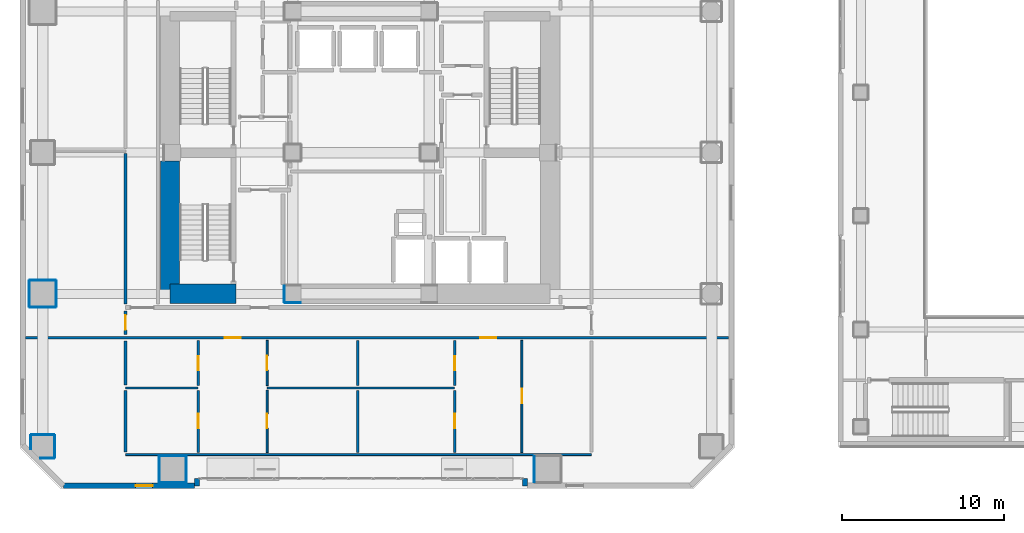
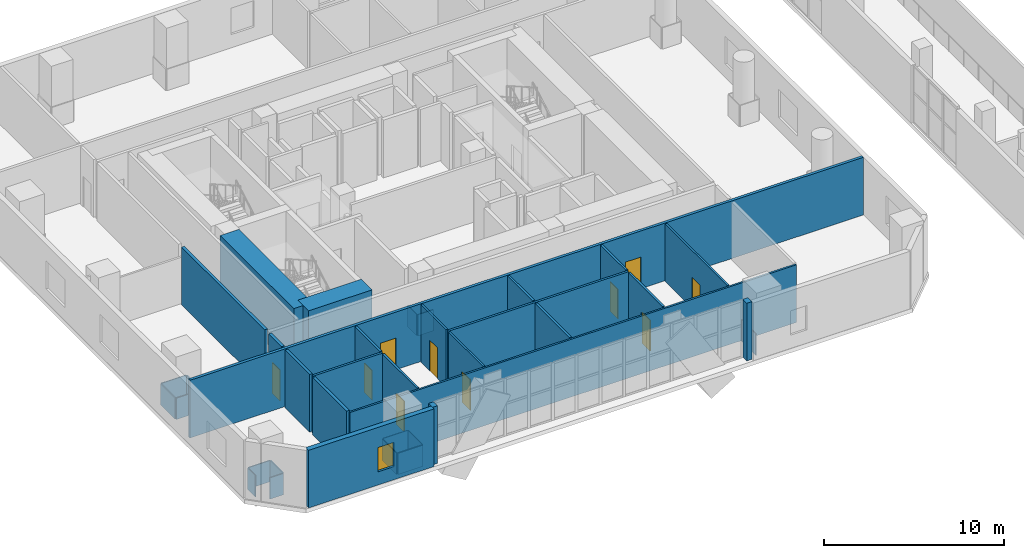
# One storey, part 11 of 20: 37 walls, 10 doors, 1 window, 11 openings.
"""IFC4 building model written with IfcOpenShell, lengths in metres."""

from ifc_helpers import new_model, si_unit, direction, frame, frame_2d, origin, place, context, subcontext, project, spatial, rectangle, extrude, material, layer, layer_set, type_object, element, fill, save


model = new_model("IFC4")

# Units and contexts
model_context = context("Model", 3, precision=1e-05, world=origin(), true_north=direction((0.0, 1.0)))
body_context = subcontext(model_context, "Body", "Model", "MODEL_VIEW")
ifc_project = project(units=[si_unit("LENGTHUNIT", "METRE"), si_unit("AREAUNIT", "SQUARE_METRE"), si_unit("VOLUMEUNIT", "CUBIC_METRE"), si_unit("PLANEANGLEUNIT", "RADIAN"), si_unit("MASSUNIT", "GRAM", prefix="KILO")], contexts=[model_context])

# Site, building, storey
site_placement = place(None, origin())
site = spatial("IfcSite", under=ifc_project, at=site_placement, CompositionType="ELEMENT")
building_placement = place(site_placement, origin())
building = spatial("IfcBuilding", under=site, at=building_placement, Name="Solanera Arch Residences", CompositionType="ELEMENT")
storey_placement = place(building_placement, frame((0.0, 0.0, 9.39990234375)))
storey = spatial("IfcBuildingStorey", under=building, at=storey_placement, Name="L02", CompositionType="ELEMENT", Elevation=9.39990234375)

# Walls
ifc_material_1 = material(Name="Fire-Rated Gypsum Stud Partition", Category="gypsum")
ifc_layer_1 = layer(ifc_material_1, 0.06005859375)
ifc_layer_set_1 = layer_set([ifc_layer_1], Name="Fire-Rated Gypsum Stud Partition")
wall_type_1 = type_object("IfcWallType", Name="Column Acoustic Furring Wall 60", PredefinedType="PARTITIONING", material=ifc_layer_set_1)
wall_1_placement = place(storey_placement, frame((20.300048828125, 21.468017578125, 0.0), z_axis=(0.0, 0.0, 1.0), x_axis=(1.0, 0.0, 0.0)))
element("IfcWall", 1, at=wall_1_placement, inside=storey, type_object=wall_type_1, Name="L02 Column Furring 1S", PredefinedType="PARTITIONING", context=body_context, shape_type="SweptSolid", body=[
    extrude(rectangle(XDim=0.989990234375, YDim=0.06005859375, at=frame_2d((0.4951171875, 0.0))), origin(), (0.0, 0.0, 1.0), 1.4501953125),
])
wall_2_placement = place(storey_placement, frame((20.26806640625, 21.5, 0.0), z_axis=(0.0, 0.0, 1.0), x_axis=(0.0, 1.0, 0.0)))
element("IfcWall", 2, at=wall_2_placement, inside=storey, type_object=wall_type_1, Name="L02 Column Furring 1W", PredefinedType="PARTITIONING", context=body_context, shape_type="SweptSolid", body=[
    extrude(rectangle(XDim=1.0, YDim=0.06005859375, at=frame_2d((0.5, 0.0))), origin(), (0.0, 0.0, 1.0), 1.4501953125),
])
for number, where, z_axis, x_axis, name in (
    (3, (12.60009765625, 10.367919921875, 0.0), (0.0, 0.0, 1.0), (1.0, 0.0, 0.0), "L02 Column Furring 9S"),
    (4, (12.60009765625, 12.031982421875, 0.0), (0.0, 0.0, 1.0), (1.0, 0.0, 0.0), "L02 Column Furring 9N"),
):
    element("IfcWall", number, at=place(storey_placement, frame(where, z_axis=z_axis, x_axis=x_axis)), inside=storey, type_object=wall_type_1, Name=name, PredefinedType="PARTITIONING", context=body_context, shape_type="SweptSolid", body=[
        extrude(rectangle(XDim=1.599853515625, YDim=0.06005859375, at=frame_2d((0.7998046875, 0.0))), origin(), (0.0, 0.0, 1.0), 1.4501953125),
    ])
for number, where, z_axis, x_axis, name in (
    (5, (12.568115234375, 10.39990234375, 0.0), (0.0, 0.0, 1.0), (0.0, 1.0, 0.0), "L02 Column Furring 9W"),
    (6, (14.23193359375, 10.39990234375, 0.0), (0.0, 0.0, 1.0), (0.0, 1.0, 0.0), "L02 Column Furring 9E"),
    (7, (35.66796875, 10.39990234375, 0.0), (0.0, 0.0, 1.0), (0.0, 1.0, 0.0), "L02 Column Furring 10W"),
):
    element("IfcWall", number, at=place(storey_placement, frame(where, z_axis=z_axis, x_axis=x_axis)), inside=storey, type_object=wall_type_1, Name=name, PredefinedType="PARTITIONING", context=body_context, shape_type="SweptSolid", body=[
        extrude(rectangle(XDim=1.60009765625, YDim=0.06005859375, at=frame_2d((0.800048828125, 0.0))), origin(), (0.0, 0.0, 1.0), 1.4501953125),
    ])
for number, where, z_axis, x_axis, name in (
    (8, (4.60009765625, 21.16796875, 0.0), (0.0, 0.0, 1.0), (1.0, 0.0, 0.0), "L02 Column Furring 15S"),
    (9, (4.60009765625, 22.83203125, 0.0), (0.0, 0.0, 1.0), (1.0, 0.0, 0.0), "L02 Column Furring 15N"),
):
    element("IfcWall", number, at=place(storey_placement, frame(where, z_axis=z_axis, x_axis=x_axis)), inside=storey, type_object=wall_type_1, Name=name, PredefinedType="PARTITIONING", context=body_context, shape_type="SweptSolid", body=[
        extrude(rectangle(XDim=1.599853515625, YDim=0.06005859375, at=frame_2d((0.7998046875, 0.0))), origin(), (0.0, 0.0, 1.0), 1.4501953125),
    ])
for number, where, z_axis, x_axis, name in (
    (10, (4.568115234375, 21.199951171875, 0.0), (0.0, 0.0, 1.0), (0.0, 1.0, 0.0), "L02 Column Furring 15W"),
    (11, (6.23193359375, 21.199951171875, 0.0), (0.0, 0.0, 1.0), (0.0, 1.0, 0.0), "L02 Column Furring 15E"),
):
    element("IfcWall", number, at=place(storey_placement, frame(where, z_axis=z_axis, x_axis=x_axis)), inside=storey, type_object=wall_type_1, Name=name, PredefinedType="PARTITIONING", context=body_context, shape_type="SweptSolid", body=[
        extrude(rectangle(XDim=1.60009765625, YDim=0.06005859375, at=frame_2d((0.800048828125, 0.0))), origin(), (0.0, 0.0, 1.0), 1.4501953125),
    ])
wall_3_placement = place(storey_placement, frame((5.239013671875, 11.867919921875, 0.0), z_axis=(0.0, 0.0, 1.0), x_axis=(1.0, 0.0, 0.0)))
element("IfcWall", 12, at=wall_3_placement, inside=storey, type_object=wall_type_1, Name="L02 Column Furring 21S", PredefinedType="PARTITIONING", context=body_context, shape_type="SweptSolid", body=[
    extrude(rectangle(XDim=0.861083984375, YDim=0.06005859375, at=frame_2d((0.4306640625, 0.0))), origin(), (0.0, 0.0, 1.0), 1.4501953125),
])
wall_4_placement = place(storey_placement, frame((4.699951171875, 13.33203125, 0.0), z_axis=(0.0, 0.0, 1.0), x_axis=(1.0, 0.0, 0.0)))
element("IfcWall", 13, at=wall_4_placement, inside=storey, type_object=wall_type_1, Name="L02 Column Furring 21N", PredefinedType="PARTITIONING", context=body_context, shape_type="SweptSolid", body=[
    extrude(rectangle(XDim=1.400146484375, YDim=0.06005859375, at=frame_2d((0.7001953125, 0.0))), origin(), (0.0, 0.0, 1.0), 1.4501953125),
])
wall_5_placement = place(storey_placement, frame((4.66796875, 12.43896484375, 0.0), z_axis=(0.0, 0.0, 1.0), x_axis=(0.0, 1.0, 0.0)))
element("IfcWall", 14, at=wall_5_placement, inside=storey, type_object=wall_type_1, Name="L02 Column Furring 21W", PredefinedType="PARTITIONING", context=body_context, shape_type="SweptSolid", body=[
    extrude(rectangle(XDim=0.861083984375, YDim=0.06005859375, at=frame_2d((0.4306640625, 0.0))), origin(), (0.0, 0.0, 1.0), 1.4501953125),
])
wall_6_placement = place(storey_placement, frame((6.132080078125, 11.89990234375, 0.0), z_axis=(0.0, 0.0, 1.0), x_axis=(0.0, 1.0, 0.0)))
element("IfcWall", 15, at=wall_6_placement, inside=storey, type_object=wall_type_1, Name="L02 Column Furring 21E", PredefinedType="PARTITIONING", context=body_context, shape_type="SweptSolid", body=[
    extrude(rectangle(XDim=1.400146484375, YDim=0.06005859375, at=frame_2d((0.7001953125, 0.0))), origin(), (0.0, 0.0, 1.0), 1.4501953125),
])
ifc_material_2 = material(Name="Concrete C55/67 (f'c = 60 MPa)", Category="concrete")
ifc_layer_2 = layer(ifc_material_2, 1.199951171875)
ifc_layer_set_2 = layer_set([ifc_layer_2], Name="Concrete C55/67 (f'c = 60 MPa)")
wall_type_2 = type_object("IfcWallType", Name="Core Shear Wall CW-1200", PredefinedType="SHEAR", material=ifc_layer_set_2)
wall_7_placement = place(storey_placement, frame((13.239990234375, 22.0, 0.0), z_axis=(0.0, 0.0, 1.0), x_axis=(0.0, 1.0, 0.0)))
element("IfcWall", 16, at=wall_7_placement, inside=storey, type_object=wall_type_2, Name="L02 West Core South Shear Wall", PredefinedType="SHEAR", context=body_context, shape_type="SweptSolid", body=[
    extrude(rectangle(XDim=8.195068359375, YDim=1.199951171875, at=frame_2d((4.09765625, 0.0))), origin(), (0.0, 0.0, 1.0), 4.2001953125),
])
wall_8_placement = place(storey_placement, frame((13.239990234375, 22.0, 0.0), z_axis=(0.0, 0.0, 1.0), x_axis=(1.0, 0.0, 0.0)))
element("IfcWall", 17, at=wall_8_placement, inside=storey, type_object=wall_type_2, Name="L02 South-West Core Shear Wall", PredefinedType="SHEAR", context=body_context, shape_type="SweptSolid", body=[
    extrude(rectangle(XDim=4.080078125, YDim=1.199951171875, at=frame_2d((2.0400390625, 0.0))), origin(), (0.0, 0.0, 1.0), 4.2001953125),
])

# Wall, openings, doors
ifc_material_3 = material(Name="Autoclaved Aerated Concrete Blockwork", Category="masonry")
ifc_layer_3 = layer(ifc_material_3, 0.179931640625)
ifc_layer_set_3 = layer_set([ifc_layer_3], Name="Autoclaved Aerated Concrete Blockwork")
wall_type_3 = type_object("IfcWallType", Name="Corridor Fire Partition 180", PredefinedType="PARTITIONING", material=ifc_layer_set_3)
wall_9_placement = place(storey_placement, frame((4.35205078125, 19.300048828125, 0.0), z_axis=(0.0, 0.0, 1.0), x_axis=(1.0, 0.0, 0.0)))
wall_9 = element("IfcWall", 18, at=wall_9_placement, inside=storey, type_object=wall_type_3, Name="L02 Interior Partition H9", PredefinedType="PARTITIONING", context=body_context, shape_type="SweptSolid", body=[
    extrude(rectangle(XDim=43.2958984375, YDim=0.179931640625, at=frame_2d((21.64794921875, 0.0))), origin(), (0.0, 0.0, 1.0), 3.920166015625),
])
opening_1_placement = place(wall_9_placement, frame((12.248046875, 0.0, 0.0)))
opening_1 = element("IfcOpeningElement", 19, at=opening_1_placement, cuts=wall_9, Name="Opening DI-01", PredefinedType="OPENING", context=body_context, shape_type="SweptSolid", body=[
    extrude(rectangle(XDim=1.0, YDim=2.14990234375, at=frame_2d((0.5, 1.074951171875))), frame((0.0, 0.10009765625, 0.0), z_axis=(0.0, -1.0, 0.0), x_axis=(1.0, 0.0, 0.0)), (0.0, 0.0, 1.0), 0.1999),
])
opening_2_placement = place(wall_9_placement, frame((27.998046875, 0.0, 0.0)))
opening_2 = element("IfcOpeningElement", 20, at=opening_2_placement, cuts=wall_9, Name="Opening DI-01", PredefinedType="OPENING", context=body_context, shape_type="SweptSolid", body=[
    extrude(rectangle(XDim=1.0, YDim=2.14990234375, at=frame_2d((0.5, 1.074951171875))), frame((0.0, 0.10009765625, 0.0), z_axis=(0.0, -1.0, 0.0), x_axis=(1.0, 0.0, 0.0)), (0.0, 0.0, 1.0), 0.1999),
])
ifc_material_4 = material(Name="Fire-Rated Architectural Hardwood", Category="wood")
door_type_1 = type_object("IfcDoorType", Name="Unit Entrance Fire Door DI-01", OperationType="NOTDEFINED", PredefinedType="DOOR", material=ifc_material_4)
door_1_placement = place(opening_1_placement, origin())
door_1 = element("IfcDoor", 21, at=door_1_placement, inside=storey, type_object=door_type_1, Name="DR-L02-IN-030", OperationType="SINGLE_SWING_LEFT", OverallHeight=2.14990234375, OverallWidth=1.0, PredefinedType="DOOR", context=body_context, shape_type="SweptSolid", body=[
    extrude(rectangle(XDim=1.0, YDim=2.14990234375, at=frame_2d((0.5, 1.074951171875))), frame((0.0, 0.02490234375, 0.0), z_axis=(0.0, -1.0, 0.0), x_axis=(1.0, 0.0, 0.0)), (0.0, 0.0, 1.0), 0.050048828125),
])
fill(opening_1, door_1)
door_2_placement = place(opening_2_placement, origin())
door_2 = element("IfcDoor", 22, at=door_2_placement, inside=storey, type_object=door_type_1, Name="DR-L02-IN-035", OperationType="SINGLE_SWING_RIGHT", OverallHeight=2.14990234375, OverallWidth=1.0, PredefinedType="DOOR", context=body_context, shape_type="SweptSolid", body=[
    extrude(rectangle(XDim=1.0, YDim=2.14990234375, at=frame_2d((0.5, 1.074951171875))), frame((0.0, 0.02490234375, 0.0), z_axis=(0.0, -1.0, 0.0), x_axis=(1.0, 0.0, 0.0)), (0.0, 0.0, 1.0), 0.050048828125),
])
fill(opening_2, door_2)

# Walls
wall_10_placement = place(storey_placement, frame((10.5, 12.258056640625, 0.0), z_axis=(0.0, 0.0, 1.0), x_axis=(0.0, 1.0, 0.0)))
element("IfcWall", 23, at=wall_10_placement, inside=storey, type_object=wall_type_3, Name="L02 Interior Partition V7 1", PredefinedType="PARTITIONING", context=body_context, shape_type="SweptSolid", body=[
    extrude(rectangle(XDim=3.77783203125, YDim=0.179931640625, at=frame_2d((1.888916015625, 0.0))), origin(), (0.0, 0.0, 1.0), 3.920166015625),
])
wall_11_placement = place(storey_placement, frame((10.5, 16.3720703125, 0.0), z_axis=(0.0, 0.0, 1.0), x_axis=(0.0, 1.0, 0.0)))
element("IfcWall", 24, at=wall_11_placement, inside=storey, type_object=wall_type_3, Name="L02 Interior Partition V7 2", PredefinedType="PARTITIONING", context=body_context, shape_type="SweptSolid", body=[
    extrude(rectangle(XDim=2.739990234375, YDim=0.179931640625, at=frame_2d((1.3701171875, 0.0))), origin(), (0.0, 0.0, 1.0), 3.920166015625),
])

# Wall, opening, door
wall_12_placement = place(storey_placement, frame((10.5, 19.488037109375, 0.0), z_axis=(0.0, 0.0, 1.0), x_axis=(0.0, 1.0, 0.0)))
wall_12 = element("IfcWall", 25, at=wall_12_placement, inside=storey, type_object=wall_type_3, Name="L02 Interior Partition V7 3", PredefinedType="PARTITIONING", context=body_context, shape_type="SweptSolid", body=[
    extrude(rectangle(XDim=1.44384765625, YDim=0.179931640625, at=frame_2d((0.721923828125, 0.0))), origin(), (0.0, 0.0, 1.0), 3.920166015625),
])
opening_3_placement = place(wall_12_placement, frame((0.301025390625, 0.0, 0.0)))
opening_3 = element("IfcOpeningElement", 26, at=opening_3_placement, cuts=wall_12, Name="Opening DI-02", PredefinedType="OPENING", context=body_context, shape_type="SweptSolid", body=[
    extrude(rectangle(XDim=0.89990234375, YDim=2.10009765625, at=frame_2d((0.449951171875, 1.050048828125))), frame((0.0, 0.10009765625, 0.0), z_axis=(0.0, -1.0, 0.0), x_axis=(1.0, 0.0, 0.0)), (0.0, 0.0, 1.0), 0.1999),
])
ifc_material_5 = material(Name="Fire-Rated Architectural Hardwood", Category="wood")
door_type_2 = type_object("IfcDoorType", Name="Suite Room Swing Door DI-02", OperationType="NOTDEFINED", PredefinedType="DOOR", material=ifc_material_5)
door_3_placement = place(opening_3_placement, origin())
door_3 = element("IfcDoor", 27, at=door_3_placement, inside=storey, type_object=door_type_2, Name="DR-L02-IN-026", OperationType="SINGLE_SWING_LEFT", OverallHeight=2.10009765625, OverallWidth=0.89990234375, PredefinedType="DOOR", context=body_context, shape_type="SweptSolid", body=[
    extrude(rectangle(XDim=0.89990234375, YDim=2.10009765625, at=frame_2d((0.449951171875, 1.050048828125))), frame((0.0, 0.02490234375, 0.0), z_axis=(0.0, -1.0, 0.0), x_axis=(1.0, 0.0, 0.0)), (0.0, 0.0, 1.0), 0.050048828125),
])
fill(opening_3, door_3)

# Walls
wall_13_placement = place(storey_placement, frame((10.5, 21.367919921875, 0.0), z_axis=(0.0, 0.0, 1.0), x_axis=(0.0, 1.0, 0.0)))
element("IfcWall", 28, at=wall_13_placement, inside=storey, type_object=wall_type_3, Name="L02 Interior Partition V7 4", PredefinedType="PARTITIONING", context=body_context, shape_type="SweptSolid", body=[
    extrude(rectangle(XDim=9.274169921875, YDim=0.179931640625, at=frame_2d((4.63720703125, 0.0))), origin(), (0.0, 0.0, 1.0), 3.920166015625),
])
ifc_material_6 = material(Name="Precast Concrete C35/45", Category="concrete")
ifc_layer_4 = layer(ifc_material_6, 0.320068359375)
ifc_layer_set_4 = layer_set([ifc_layer_4], Name="Precast Concrete C35/45")
wall_type_4 = type_object("IfcWallType", Name="Exterior Wall Precast Masonry-Frame 320", PredefinedType="STANDARD", material=ifc_layer_set_4)
for number, where, z_axis, x_axis, name in (
    (29, (35.10009765625, 10.179931640625, 0.0), (0.0, 0.0, 1.0), (0.0, 1.0, 0.0), "L02 Podium Arch East Reveal Jamb"),
    (30, (14.89990234375, 10.6298828125, 0.0), (0.0, 0.0, 1.0), (0.0, -1.0, 0.0), "L02 Podium Arch West Reveal Jamb"),
):
    element("IfcWall", number, at=place(storey_placement, frame(where, z_axis=z_axis, x_axis=x_axis)), inside=storey, type_object=wall_type_4, Name=name, PredefinedType="STANDARD", context=body_context, shape_type="SweptSolid", body=[
        extrude(rectangle(XDim=0.449951171875, YDim=0.320068359375, at=frame_2d((0.22509765625, 0.0))), origin(), (0.0, 0.0, 1.0), 3.920166015625),
    ])

# Wall, opening, window
wall_14_placement = place(storey_placement, frame((14.739990234375, 10.179931640625, 0.0), z_axis=(0.0, 0.0, 1.0), x_axis=(-1.0, 0.0, 0.0)))
wall_14 = element("IfcWall", 31, at=wall_14_placement, inside=storey, type_object=wall_type_4, Name="L02 Podium South-West Precast Pier Wall", PredefinedType="STANDARD", context=body_context, shape_type="SweptSolid", body=[
    extrude(rectangle(XDim=8.06005859375, YDim=0.320068359375, at=frame_2d((4.030029296875, 0.0))), origin(), (0.0, 0.0, 1.0), 3.920166015625),
])
opening_4_placement = place(wall_14_placement, frame((2.56494140625, 0.0, 0.89990234375)))
opening_4 = element("IfcOpeningElement", 32, at=opening_4_placement, cuts=wall_14, Name="Opening W-07", PredefinedType="OPENING", context=body_context, shape_type="SweptSolid", body=[
    extrude(rectangle(XDim=1.050048828125, YDim=1.64990234375, at=frame_2d((0.52490234375, 0.824951171875))), frame((0.0, 0.169921875, 0.0), z_axis=(0.0, -1.0, 0.0), x_axis=(1.0, 0.0, 0.0)), (0.0, 0.0, 1.0), 0.3401),
])
ifc_material_7 = material(Name="Double Glazed Low-E Laminated Glass", Category="glass")
window_type = type_object("IfcWindowType", Name="Punched Window W-07", PartitioningType="SINGLE_PANEL", PredefinedType="WINDOW", material=ifc_material_7)
window_placement = place(opening_4_placement, origin())
window = element("IfcWindow", 33, at=window_placement, inside=storey, type_object=window_type, Name="L02 Podium South-West Bedroom Window", OverallHeight=1.64990234375, OverallWidth=1.050048828125, PartitioningType="SINGLE_PANEL", PredefinedType="WINDOW", context=body_context, shape_type="SweptSolid", body=[
    extrude(rectangle(XDim=1.050048828125, YDim=1.64990234375, at=frame_2d((0.52490234375, 0.824951171875))), frame((0.0, 0.030029296875, 0.0), z_axis=(0.0, -1.0, 0.0), x_axis=(1.0, 0.0, 0.0)), (0.0, 0.0, 1.0), 0.06005859375),
])
fill(opening_4, window)

# Wall
ifc_material_8 = material(Name="Fire-Rated Gypsum Stud Partition", Category="gypsum")
ifc_layer_5 = layer(ifc_material_8, 0.1201171875)
ifc_layer_set_5 = layer_set([ifc_layer_5], Name="Fire-Rated Gypsum Stud Partition")
wall_type_5 = type_object("IfcWallType", Name="Unit Drywall Partition 120", PredefinedType="PARTITIONING", material=ifc_layer_set_5)
wall_15_placement = place(storey_placement, frame((10.5, 12.10009765625, 0.0), z_axis=(0.0, 0.0, 1.0), x_axis=(1.0, 0.0, 0.0)))
element("IfcWall", 34, at=wall_15_placement, inside=storey, type_object=wall_type_5, Name="L02 Interior Partition H23", PredefinedType="PARTITIONING", context=body_context, shape_type="SweptSolid", body=[
    extrude(rectangle(XDim=28.699951171875, YDim=0.1201171875, at=frame_2d((14.35009765625, 0.0))), origin(), (0.0, 0.0, 1.0), 3.920166015625),
])

# Wall, opening, door
wall_16_placement = place(storey_placement, frame((19.219970703125, 12.22802734375, 0.0), z_axis=(0.0, 0.0, 1.0), x_axis=(0.0, 1.0, 0.0)))
wall_16 = element("IfcWall", 35, at=wall_16_placement, inside=storey, type_object=wall_type_5, Name="L02 Interior Partition V26 1", PredefinedType="PARTITIONING", context=body_context, shape_type="SweptSolid", body=[
    extrude(rectangle(XDim=3.837890625, YDim=0.1201171875, at=frame_2d((1.9189453125, 0.0))), origin(), (0.0, 0.0, 1.0), 3.920166015625),
])
opening_5_placement = place(wall_16_placement, frame((1.487060546875, 0.0, 0.0)))
opening_5 = element("IfcOpeningElement", 36, at=opening_5_placement, cuts=wall_16, Name="Opening DI-03", PredefinedType="OPENING", context=body_context, shape_type="SweptSolid", body=[
    extrude(rectangle(XDim=0.89990234375, YDim=2.10009765625, at=frame_2d((0.449951171875, 1.050048828125))), frame((0.0, 0.070068359375, 0.0), z_axis=(0.0, -1.0, 0.0), x_axis=(1.0, 0.0, 0.0)), (0.0, 0.0, 1.0), 0.1401),
])
ifc_material_9 = material(Name="Fire-Rated Architectural Hardwood", Category="wood")
door_type_3 = type_object("IfcDoorType", Name="Bedroom Swing Door DI-03", OperationType="NOTDEFINED", PredefinedType="DOOR", material=ifc_material_9)
door_4_placement = place(opening_5_placement, origin())
door_4 = element("IfcDoor", 37, at=door_4_placement, inside=storey, type_object=door_type_3, Name="DR-L02-IN-034", OperationType="SINGLE_SWING_LEFT", OverallHeight=2.10009765625, OverallWidth=0.89990234375, PredefinedType="DOOR", context=body_context, shape_type="SweptSolid", body=[
    extrude(rectangle(XDim=0.89990234375, YDim=2.10009765625, at=frame_2d((0.449951171875, 1.050048828125))), frame((0.0, 0.02490234375, 0.0), z_axis=(0.0, -1.0, 0.0), x_axis=(1.0, 0.0, 0.0)), (0.0, 0.0, 1.0), 0.050048828125),
])
fill(opening_5, door_4)

wall_17_placement = place(storey_placement, frame((19.219970703125, 16.342041015625, 0.0), z_axis=(0.0, 0.0, 1.0), x_axis=(0.0, 1.0, 0.0)))
wall_17 = element("IfcWall", 38, at=wall_17_placement, inside=storey, type_object=wall_type_5, Name="L02 Interior Partition V26 2", PredefinedType="PARTITIONING", context=body_context, shape_type="SweptSolid", body=[
    extrude(rectangle(XDim=2.800048828125, YDim=0.1201171875, at=frame_2d((1.39990234375, 0.0))), origin(), (0.0, 0.0, 1.0), 3.920166015625),
])
opening_6_placement = place(wall_17_placement, frame((0.947021484375, 0.0, 0.0)))
opening_6 = element("IfcOpeningElement", 39, at=opening_6_placement, cuts=wall_17, Name="Opening DI-02", PredefinedType="OPENING", context=body_context, shape_type="SweptSolid", body=[
    extrude(rectangle(XDim=0.89990234375, YDim=2.10009765625, at=frame_2d((0.449951171875, 1.050048828125))), frame((0.0, 0.070068359375, 0.0), z_axis=(0.0, -1.0, 0.0), x_axis=(1.0, 0.0, 0.0)), (0.0, 0.0, 1.0), 0.1401),
])
door_5_placement = place(opening_6_placement, origin())
door_5 = element("IfcDoor", 40, at=door_5_placement, inside=storey, type_object=door_type_2, Name="DR-L02-IN-033", OperationType="SINGLE_SWING_RIGHT", OverallHeight=2.10009765625, OverallWidth=0.89990234375, PredefinedType="DOOR", context=body_context, shape_type="SweptSolid", body=[
    extrude(rectangle(XDim=0.89990234375, YDim=2.10009765625, at=frame_2d((0.449951171875, 1.050048828125))), frame((0.0, 0.02490234375, 0.0), z_axis=(0.0, -1.0, 0.0), x_axis=(1.0, 0.0, 0.0)), (0.0, 0.0, 1.0), 0.050048828125),
])
fill(opening_6, door_5)

wall_18_placement = place(storey_placement, frame((34.919921875, 12.22802734375, 0.0), z_axis=(0.0, 0.0, 1.0), x_axis=(0.0, 1.0, 0.0)))
wall_18 = element("IfcWall", 41, at=wall_18_placement, inside=storey, type_object=wall_type_5, Name="L02 Interior Partition V27", PredefinedType="PARTITIONING", context=body_context, shape_type="SweptSolid", body=[
    extrude(rectangle(XDim=6.9140625, YDim=0.1201171875, at=frame_2d((3.45703125, 0.0))), origin(), (0.0, 0.0, 1.0), 3.920166015625),
])
opening_7_placement = place(wall_18_placement, frame((3.02197265625, 0.0, 0.0)))
opening_7 = element("IfcOpeningElement", 42, at=opening_7_placement, cuts=wall_18, Name="Opening DI-02", PredefinedType="OPENING", context=body_context, shape_type="SweptSolid", body=[
    extrude(rectangle(XDim=0.89990234375, YDim=2.10009765625, at=frame_2d((0.449951171875, 1.050048828125))), frame((0.0, 0.070068359375, 0.0), z_axis=(0.0, -1.0, 0.0), x_axis=(1.0, 0.0, 0.0)), (0.0, 0.0, 1.0), 0.1401),
])
door_6_placement = place(opening_7_placement, origin())
door_6 = element("IfcDoor", 43, at=door_6_placement, inside=storey, type_object=door_type_2, Name="DR-L02-IN-038", OperationType="SINGLE_SWING_LEFT", OverallHeight=2.10009765625, OverallWidth=0.89990234375, PredefinedType="DOOR", context=body_context, shape_type="SweptSolid", body=[
    extrude(rectangle(XDim=0.89990234375, YDim=2.10009765625, at=frame_2d((0.449951171875, 1.050048828125))), frame((0.0, 0.02490234375, 0.0), z_axis=(0.0, -1.0, 0.0), x_axis=(1.0, 0.0, 0.0)), (0.0, 0.0, 1.0), 0.050048828125),
])
fill(opening_7, door_6)

# Walls
ifc_material_10 = material(Name="Autoclaved Aerated Concrete Blockwork", Category="masonry")
ifc_layer_6 = layer(ifc_material_10, 0.139892578125)
ifc_layer_set_6 = layer_set([ifc_layer_6], Name="Autoclaved Aerated Concrete Blockwork")
wall_type_6 = type_object("IfcWallType", Name="Wet-Room Partition 140", PredefinedType="PARTITIONING", material=ifc_layer_set_6)
wall_19_placement = place(storey_placement, frame((10.5, 16.2041015625, 0.0), z_axis=(0.0, 0.0, 1.0), x_axis=(1.0, 0.0, 0.0)))
element("IfcWall", 44, at=wall_19_placement, inside=storey, type_object=wall_type_6, Name="L02 Interior Partition H17", PredefinedType="PARTITIONING", context=body_context, shape_type="SweptSolid", body=[
    extrude(rectangle(XDim=4.47998046875, YDim=0.139892578125, at=frame_2d((2.239990234375, 0.0))), origin(), (0.0, 0.0, 1.0), 3.920166015625),
])
wall_20_placement = place(storey_placement, frame((19.219970703125, 16.2041015625, 0.0), z_axis=(0.0, 0.0, 1.0), x_axis=(1.0, 0.0, 0.0)))
element("IfcWall", 45, at=wall_20_placement, inside=storey, type_object=wall_type_6, Name="L02 Interior Partition H18", PredefinedType="PARTITIONING", context=body_context, shape_type="SweptSolid", body=[
    extrude(rectangle(XDim=11.56005859375, YDim=0.139892578125, at=frame_2d((5.780029296875, 0.0))), origin(), (0.0, 0.0, 1.0), 3.920166015625),
])

# Wall, opening, door
wall_21_placement = place(storey_placement, frame((14.97998046875, 12.238037109375, 0.0), z_axis=(0.0, 0.0, 1.0), x_axis=(0.0, 1.0, 0.0)))
wall_21 = element("IfcWall", 46, at=wall_21_placement, inside=storey, type_object=wall_type_6, Name="L02 Interior Partition V17 1", PredefinedType="PARTITIONING", context=body_context, shape_type="SweptSolid", body=[
    extrude(rectangle(XDim=3.81787109375, YDim=0.139892578125, at=frame_2d((1.908935546875, 0.0))), origin(), (0.0, 0.0, 1.0), 3.920166015625),
])
opening_8_placement = place(wall_21_placement, frame((1.47705078125, 0.0, 0.0)))
opening_8 = element("IfcOpeningElement", 47, at=opening_8_placement, cuts=wall_21, Name="Opening DI-03", PredefinedType="OPENING", context=body_context, shape_type="SweptSolid", body=[
    extrude(rectangle(XDim=0.89990234375, YDim=2.10009765625, at=frame_2d((0.449951171875, 1.050048828125))), frame((0.0, 0.079833984375, 0.0), z_axis=(0.0, -1.0, 0.0), x_axis=(1.0, 0.0, 0.0)), (0.0, 0.0, 1.0), 0.1599),
])
door_7_placement = place(opening_8_placement, origin())
door_7 = element("IfcDoor", 48, at=door_7_placement, inside=storey, type_object=door_type_3, Name="DR-L02-IN-032", OperationType="SINGLE_SWING_LEFT", OverallHeight=2.10009765625, OverallWidth=0.89990234375, PredefinedType="DOOR", context=body_context, shape_type="SweptSolid", body=[
    extrude(rectangle(XDim=0.89990234375, YDim=2.10009765625, at=frame_2d((0.449951171875, 1.050048828125))), frame((0.0, 0.02490234375, 0.0), z_axis=(0.0, -1.0, 0.0), x_axis=(1.0, 0.0, 0.0)), (0.0, 0.0, 1.0), 0.050048828125),
])
fill(opening_8, door_7)

wall_22_placement = place(storey_placement, frame((14.97998046875, 16.35205078125, 0.0), z_axis=(0.0, 0.0, 1.0), x_axis=(0.0, 1.0, 0.0)))
wall_22 = element("IfcWall", 49, at=wall_22_placement, inside=storey, type_object=wall_type_6, Name="L02 Interior Partition V17 2", PredefinedType="PARTITIONING", context=body_context, shape_type="SweptSolid", body=[
    extrude(rectangle(XDim=2.780029296875, YDim=0.139892578125, at=frame_2d((1.39013671875, 0.0))), origin(), (0.0, 0.0, 1.0), 3.920166015625),
])
opening_9_placement = place(wall_22_placement, frame((0.95703125, 0.0, 0.0)))
opening_9 = element("IfcOpeningElement", 50, at=opening_9_placement, cuts=wall_22, Name="Opening DI-05", PredefinedType="OPENING", context=body_context, shape_type="SweptSolid", body=[
    extrude(rectangle(XDim=0.860107421875, YDim=2.02001953125, at=frame_2d((0.43017578125, 1.010009765625))), frame((0.0, 0.079833984375, 0.0), z_axis=(0.0, -1.0, 0.0), x_axis=(1.0, 0.0, 0.0)), (0.0, 0.0, 1.0), 0.1599),
])
ifc_material_11 = material(Name="Fire-Rated Architectural Hardwood", Category="wood")
door_type_4 = type_object("IfcDoorType", Name="Bathroom Swing Door DI-05", OperationType="NOTDEFINED", PredefinedType="DOOR", material=ifc_material_11)
door_8_placement = place(opening_9_placement, origin())
door_8 = element("IfcDoor", 51, at=door_8_placement, inside=storey, type_object=door_type_4, Name="DR-L02-IN-031", OperationType="SINGLE_SWING_RIGHT", OverallHeight=2.02001953125, OverallWidth=0.860107421875, PredefinedType="DOOR", context=body_context, shape_type="SweptSolid", body=[
    extrude(rectangle(XDim=0.860107421875, YDim=2.02001953125, at=frame_2d((0.43017578125, 1.010009765625))), frame((0.0, 0.02490234375, 0.0), z_axis=(0.0, -1.0, 0.0), x_axis=(1.0, 0.0, 0.0)), (0.0, 0.0, 1.0), 0.050048828125),
])
fill(opening_9, door_8)

# Walls
wall_23_placement = place(storey_placement, frame((24.800048828125, 12.238037109375, 0.0), z_axis=(0.0, 0.0, 1.0), x_axis=(0.0, 1.0, 0.0)))
element("IfcWall", 52, at=wall_23_placement, inside=storey, type_object=wall_type_6, Name="L02 Interior Partition V18 1", PredefinedType="PARTITIONING", context=body_context, shape_type="SweptSolid", body=[
    extrude(rectangle(XDim=3.81787109375, YDim=0.139892578125, at=frame_2d((1.908935546875, 0.0))), origin(), (0.0, 0.0, 1.0), 3.920166015625),
])
wall_24_placement = place(storey_placement, frame((24.800048828125, 16.35205078125, 0.0), z_axis=(0.0, 0.0, 1.0), x_axis=(0.0, 1.0, 0.0)))
element("IfcWall", 53, at=wall_24_placement, inside=storey, type_object=wall_type_6, Name="L02 Interior Partition V18 2", PredefinedType="PARTITIONING", context=body_context, shape_type="SweptSolid", body=[
    extrude(rectangle(XDim=2.780029296875, YDim=0.139892578125, at=frame_2d((1.39013671875, 0.0))), origin(), (0.0, 0.0, 1.0), 3.920166015625),
])

# Wall, opening, door
wall_25_placement = place(storey_placement, frame((30.780029296875, 12.238037109375, 0.0), z_axis=(0.0, 0.0, 1.0), x_axis=(0.0, 1.0, 0.0)))
wall_25 = element("IfcWall", 54, at=wall_25_placement, inside=storey, type_object=wall_type_6, Name="L02 Interior Partition V20 1", PredefinedType="PARTITIONING", context=body_context, shape_type="SweptSolid", body=[
    extrude(rectangle(XDim=3.81787109375, YDim=0.139892578125, at=frame_2d((1.908935546875, 0.0))), origin(), (0.0, 0.0, 1.0), 3.920166015625),
])
opening_10_placement = place(wall_25_placement, frame((1.47705078125, 0.0, 0.0)))
opening_10 = element("IfcOpeningElement", 55, at=opening_10_placement, cuts=wall_25, Name="Opening DI-03", PredefinedType="OPENING", context=body_context, shape_type="SweptSolid", body=[
    extrude(rectangle(XDim=0.89990234375, YDim=2.10009765625, at=frame_2d((0.449951171875, 1.050048828125))), frame((0.0, 0.079833984375, 0.0), z_axis=(0.0, -1.0, 0.0), x_axis=(1.0, 0.0, 0.0)), (0.0, 0.0, 1.0), 0.1599),
])
door_9_placement = place(opening_10_placement, origin())
door_9 = element("IfcDoor", 56, at=door_9_placement, inside=storey, type_object=door_type_3, Name="DR-L02-IN-037", OperationType="SINGLE_SWING_RIGHT", OverallHeight=2.10009765625, OverallWidth=0.89990234375, PredefinedType="DOOR", context=body_context, shape_type="SweptSolid", body=[
    extrude(rectangle(XDim=0.89990234375, YDim=2.10009765625, at=frame_2d((0.449951171875, 1.050048828125))), frame((0.0, 0.02490234375, 0.0), z_axis=(0.0, -1.0, 0.0), x_axis=(1.0, 0.0, 0.0)), (0.0, 0.0, 1.0), 0.050048828125),
])
fill(opening_10, door_9)

wall_26_placement = place(storey_placement, frame((30.780029296875, 16.35205078125, 0.0), z_axis=(0.0, 0.0, 1.0), x_axis=(0.0, 1.0, 0.0)))
wall_26 = element("IfcWall", 57, at=wall_26_placement, inside=storey, type_object=wall_type_6, Name="L02 Interior Partition V20 2", PredefinedType="PARTITIONING", context=body_context, shape_type="SweptSolid", body=[
    extrude(rectangle(XDim=2.780029296875, YDim=0.139892578125, at=frame_2d((1.39013671875, 0.0))), origin(), (0.0, 0.0, 1.0), 3.920166015625),
])
opening_11_placement = place(wall_26_placement, frame((0.95703125, 0.0, 0.0)))
opening_11 = element("IfcOpeningElement", 58, at=opening_11_placement, cuts=wall_26, Name="Opening DI-05", PredefinedType="OPENING", context=body_context, shape_type="SweptSolid", body=[
    extrude(rectangle(XDim=0.860107421875, YDim=2.02001953125, at=frame_2d((0.43017578125, 1.010009765625))), frame((0.0, 0.079833984375, 0.0), z_axis=(0.0, -1.0, 0.0), x_axis=(1.0, 0.0, 0.0)), (0.0, 0.0, 1.0), 0.1599),
])
door_10_placement = place(opening_11_placement, origin())
door_10 = element("IfcDoor", 59, at=door_10_placement, inside=storey, type_object=door_type_4, Name="DR-L02-IN-036", OperationType="SINGLE_SWING_LEFT", OverallHeight=2.02001953125, OverallWidth=0.860107421875, PredefinedType="DOOR", context=body_context, shape_type="SweptSolid", body=[
    extrude(rectangle(XDim=0.860107421875, YDim=2.02001953125, at=frame_2d((0.43017578125, 1.010009765625))), frame((0.0, 0.02490234375, 0.0), z_axis=(0.0, -1.0, 0.0), x_axis=(1.0, 0.0, 0.0)), (0.0, 0.0, 1.0), 0.050048828125),
])
fill(opening_11, door_10)

save(model, "model.ifc")
